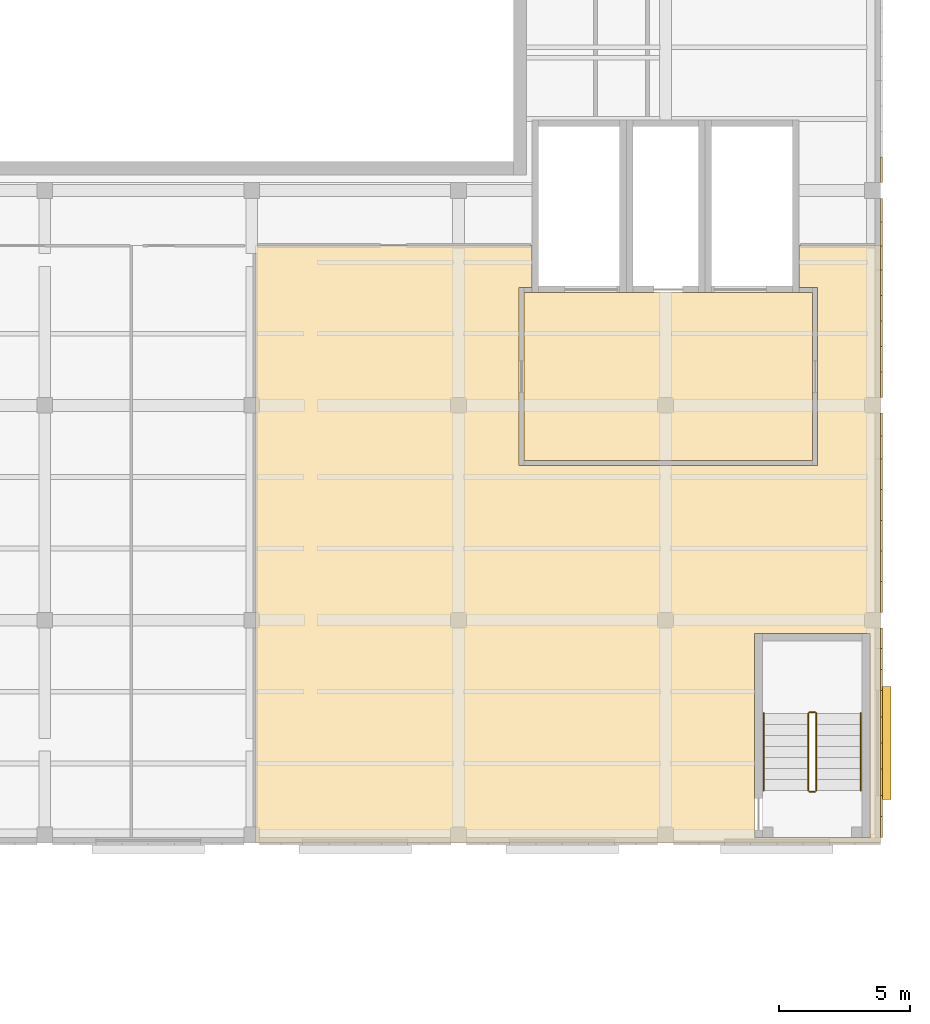
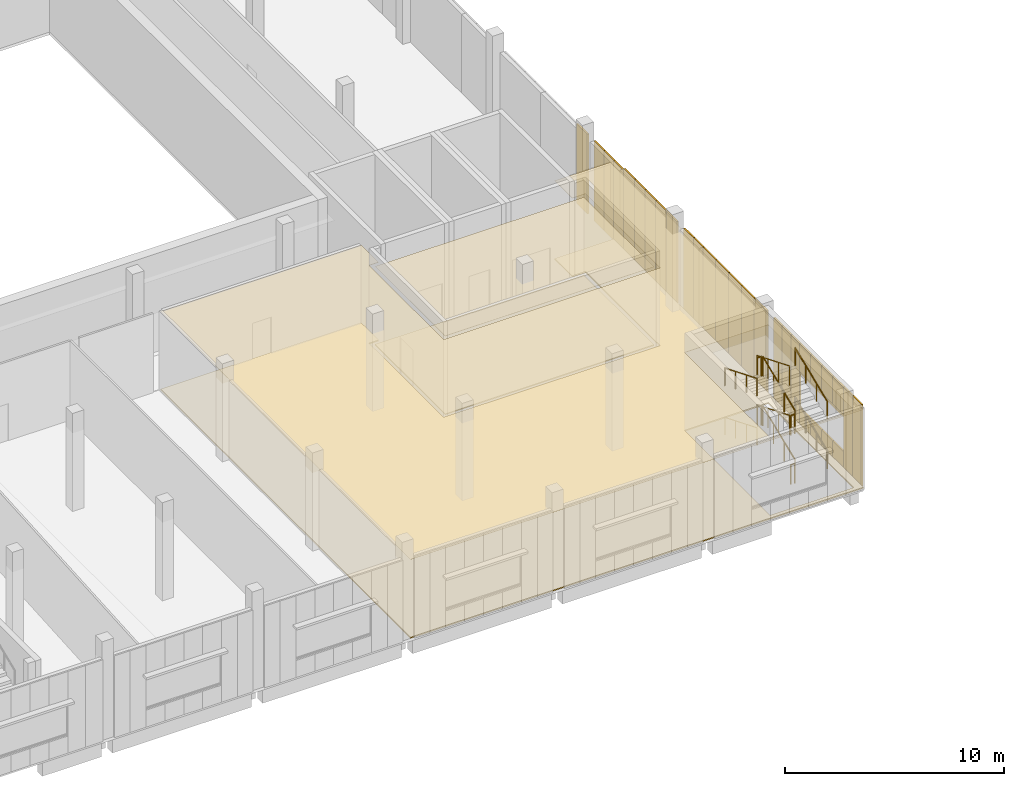
# One storey, part 84 of 87: 33 coverings, 12 railings, 1 shading device.
"""IFC4 building model written with IfcOpenShell, lengths in metres."""

from ifc_helpers import new_model, si_unit, direction, frame, origin, origin_2d, place, context, subcontext, project, spatial, polyline, rectangle, circle, outline, extrude, material, layer, layer_set, type_object, element, save


model = new_model("IFC4")

# Units and contexts
model_context = context("Model", 3, precision=1e-05, world=origin(), true_north=direction((0.0, 1.0)))
body_context = subcontext(model_context, "Body", "Model", "MODEL_VIEW")
ifc_project = project(units=[si_unit("LENGTHUNIT", "METRE"), si_unit("AREAUNIT", "SQUARE_METRE"), si_unit("VOLUMEUNIT", "CUBIC_METRE"), si_unit("PLANEANGLEUNIT", "RADIAN"), si_unit("MASSUNIT", "GRAM", prefix="KILO")], contexts=[model_context])

# Site, building, storey
site_placement = place(None, origin())
site = spatial("IfcSite", under=ifc_project, at=site_placement, CompositionType="ELEMENT")
building_placement = place(site_placement, origin())
building = spatial("IfcBuilding", under=site, at=building_placement, Name="Lunette Opera House", CompositionType="ELEMENT")
storey_placement = place(building_placement, frame((0.0, 0.0, 11.5)))
storey = spatial("IfcBuildingStorey", under=building, at=storey_placement, Name="L02", CompositionType="ELEMENT", Elevation=11.5)

# Coverings
ifc_material_1 = material(Name="Dark grey aluminium cassette", Category="aluminium")
ifc_layer_1 = layer(ifc_material_1, 0.080078125)
ifc_layer_set_1 = layer_set([ifc_layer_1], Name="Dark grey aluminium cassette")
covering_type_1 = type_object("IfcCoveringType", Name="DARK METAL CASSETTE 80", PredefinedType="CLADDING", material=ifc_layer_set_1)
for number, where, z_axis, x_axis, name in (
    (1, (184.0400390625, 78.60302734375, 0.0), (0.0, 0.0, 1.0), (0.0, 1.0, 0.0), "Dark Metal Cassette 80 WK L02"),
    (2, (184.0400390625, 79.408935546875, 0.0), (0.0, 0.0, 1.0), (0.0, 1.0, 0.0), "Dark Metal Cassette 80 WK L02"),
):
    element("IfcCovering", number, at=place(storey_placement, frame(where, z_axis=z_axis, x_axis=x_axis)), inside=storey, type_object=covering_type_1, Name=name, PredefinedType="CLADDING", context=body_context, shape_type="SweptSolid", body=[
        extrude(rectangle(XDim=0.805908203125, YDim=0.080078125, at=origin_2d()), origin(), (0.0, 0.0, 1.0), 4.550048828125),
    ])
covering_1_placement = place(storey_placement, frame((184.0400390625, 80.31201171875, 0.0), z_axis=(0.0, 0.0, 1.0), x_axis=(0.0, 1.0, 0.0)))
element("IfcCovering", 3, at=covering_1_placement, inside=storey, type_object=covering_type_1, Name="Dark Metal Cassette 80 WK L02", PredefinedType="CLADDING", context=body_context, shape_type="SweptSolid", body=[
    extrude(rectangle(XDim=1.0, YDim=0.080078125, at=origin_2d()), origin(), (0.0, 0.0, 1.0), 0.949951171875),
])
covering_2_placement = place(storey_placement, frame((184.0400390625, 80.31201171875, 3.0), z_axis=(0.0, 0.0, 1.0), x_axis=(0.0, 1.0, 0.0)))
element("IfcCovering", 4, at=covering_2_placement, inside=storey, type_object=covering_type_1, Name="Dark Metal Cassette 80 WK L02", PredefinedType="CLADDING", context=body_context, shape_type="SweptSolid", body=[
    extrude(rectangle(XDim=1.0, YDim=0.080078125, at=origin_2d()), origin(), (0.0, 0.0, 1.0), 1.550048828125),
])
covering_3_placement = place(storey_placement, frame((184.0400390625, 81.31201171875, 0.0), z_axis=(0.0, 0.0, 1.0), x_axis=(0.0, 1.0, 0.0)))
element("IfcCovering", 5, at=covering_3_placement, inside=storey, type_object=covering_type_1, Name="Dark Metal Cassette 80 WK L02", PredefinedType="CLADDING", context=body_context, shape_type="SweptSolid", body=[
    extrude(rectangle(XDim=1.0, YDim=0.080078125, at=origin_2d()), origin(), (0.0, 0.0, 1.0), 0.949951171875),
])
covering_4_placement = place(storey_placement, frame((184.0400390625, 81.31201171875, 3.0), z_axis=(0.0, 0.0, 1.0), x_axis=(0.0, 1.0, 0.0)))
element("IfcCovering", 6, at=covering_4_placement, inside=storey, type_object=covering_type_1, Name="Dark Metal Cassette 80 WK L02", PredefinedType="CLADDING", context=body_context, shape_type="SweptSolid", body=[
    extrude(rectangle(XDim=1.0, YDim=0.080078125, at=origin_2d()), origin(), (0.0, 0.0, 1.0), 1.550048828125),
])
covering_5_placement = place(storey_placement, frame((184.0400390625, 82.31201171875, 0.0), z_axis=(0.0, 0.0, 1.0), x_axis=(0.0, 1.0, 0.0)))
element("IfcCovering", 7, at=covering_5_placement, inside=storey, type_object=covering_type_1, Name="Dark Metal Cassette 80 WK L02", PredefinedType="CLADDING", context=body_context, shape_type="SweptSolid", body=[
    extrude(rectangle(XDim=1.0, YDim=0.080078125, at=origin_2d()), origin(), (0.0, 0.0, 1.0), 0.949951171875),
])
covering_6_placement = place(storey_placement, frame((184.0400390625, 82.31201171875, 3.0), z_axis=(0.0, 0.0, 1.0), x_axis=(0.0, 1.0, 0.0)))
element("IfcCovering", 8, at=covering_6_placement, inside=storey, type_object=covering_type_1, Name="Dark Metal Cassette 80 WK L02", PredefinedType="CLADDING", context=body_context, shape_type="SweptSolid", body=[
    extrude(rectangle(XDim=1.0, YDim=0.080078125, at=origin_2d()), origin(), (0.0, 0.0, 1.0), 1.550048828125),
])
covering_7_placement = place(storey_placement, frame((184.0400390625, 83.31201171875, 0.0), z_axis=(0.0, 0.0, 1.0), x_axis=(0.0, 1.0, 0.0)))
element("IfcCovering", 9, at=covering_7_placement, inside=storey, type_object=covering_type_1, Name="Dark Metal Cassette 80 WK L02", PredefinedType="CLADDING", context=body_context, shape_type="SweptSolid", body=[
    extrude(rectangle(XDim=1.0, YDim=0.080078125, at=origin_2d()), origin(), (0.0, 0.0, 1.0), 0.949951171875),
])
covering_8_placement = place(storey_placement, frame((184.0400390625, 83.31201171875, 3.0), z_axis=(0.0, 0.0, 1.0), x_axis=(0.0, 1.0, 0.0)))
element("IfcCovering", 10, at=covering_8_placement, inside=storey, type_object=covering_type_1, Name="Dark Metal Cassette 80 WK L02", PredefinedType="CLADDING", context=body_context, shape_type="SweptSolid", body=[
    extrude(rectangle(XDim=1.0, YDim=0.080078125, at=origin_2d()), origin(), (0.0, 0.0, 1.0), 1.550048828125),
])
for number, where, z_axis, x_axis, name in (
    (11, (184.0400390625, 84.215087890625, 0.0), (0.0, 0.0, 1.0), (0.0, 1.0, 0.0), "Dark Metal Cassette 80 WK L02"),
    (12, (184.0400390625, 85.02197265625, 0.0), (0.0, 0.0, 1.0), (0.0, 1.0, 0.0), "Dark Metal Cassette 80 WK L02"),
):
    element("IfcCovering", number, at=place(storey_placement, frame(where, z_axis=z_axis, x_axis=x_axis)), inside=storey, type_object=covering_type_1, Name=name, PredefinedType="CLADDING", context=body_context, shape_type="SweptSolid", body=[
        extrude(rectangle(XDim=0.805908203125, YDim=0.080078125, at=origin_2d()), origin(), (0.0, 0.0, 1.0), 4.550048828125),
    ])
covering_9_placement = place(storey_placement, frame((184.0400390625, 85.81201171875, 0.0), z_axis=(0.0, 0.0, 1.0), x_axis=(0.0, 1.0, 0.0)))
element("IfcCovering", 13, at=covering_9_placement, inside=storey, type_object=covering_type_1, Name="Dark Metal Cassette 80 WK L02", PredefinedType="CLADDING", context=body_context, shape_type="SweptSolid", body=[
    extrude(rectangle(XDim=0.77490234375, YDim=0.080078125, at=origin_2d()), origin(), (0.0, 0.0, 1.0), 4.550048828125),
])
for number, where, z_axis, x_axis, name in (
    (14, (184.0400390625, 87.385009765625, 0.0), (0.0, 0.0, 1.0), (0.0, 1.0, 0.0), "Dark Metal Cassette 80 WK L02"),
    (15, (184.0400390625, 88.554931640625, 0.0), (0.0, 0.0, 1.0), (0.0, 1.0, 0.0), "Dark Metal Cassette 80 WK L02"),
    (16, (184.0400390625, 89.72509765625, 0.0), (0.0, 0.0, 1.0), (0.0, 1.0, 0.0), "Dark Metal Cassette 80 WK L02"),
    (17, (184.0400390625, 90.89501953125, 0.0), (0.0, 0.0, 1.0), (0.0, 1.0, 0.0), "Dark Metal Cassette 80 WK L02"),
    (18, (184.0400390625, 92.06494140625, 0.0), (0.0, 0.0, 1.0), (0.0, 1.0, 0.0), "Dark Metal Cassette 80 WK L02"),
):
    element("IfcCovering", number, at=place(storey_placement, frame(where, z_axis=z_axis, x_axis=x_axis)), inside=storey, type_object=covering_type_1, Name=name, PredefinedType="CLADDING", context=body_context, shape_type="SweptSolid", body=[
        extrude(rectangle(XDim=1.169921875, YDim=0.080078125, at=origin_2d()), origin(), (0.0, 0.0, 1.0), 4.550048828125),
    ])
for number, where, z_axis, x_axis, name in (
    (19, (184.0400390625, 93.087890625, 0.0), (0.0, 0.0, 1.0), (0.0, 1.0, 0.0), "Dark Metal Cassette 80 WK L02"),
    (20, (184.0400390625, 93.962890625, 0.0), (0.0, 0.0, 1.0), (0.0, 1.0, 0.0), "Dark Metal Cassette 80 WK L02"),
):
    element("IfcCovering", number, at=place(storey_placement, frame(where, z_axis=z_axis, x_axis=x_axis)), inside=storey, type_object=covering_type_1, Name=name, PredefinedType="CLADDING", context=body_context, shape_type="SweptSolid", body=[
        extrude(rectangle(XDim=0.875, YDim=0.080078125, at=origin_2d()), origin(), (0.0, 0.0, 1.0), 4.550048828125),
    ])
for number, where, z_axis, x_axis, name in (
    (21, (184.0400390625, 95.487060546875, 0.0), (0.0, 0.0, 1.0), (0.0, 1.0, 0.0), "Dark Metal Cassette 80 WK L02"),
    (22, (184.0400390625, 96.462890625, 0.0), (0.0, 0.0, 1.0), (0.0, 1.0, 0.0), "Dark Metal Cassette 80 WK L02"),
    (23, (184.0400390625, 97.43798828125, 0.0), (0.0, 0.0, 1.0), (0.0, 1.0, 0.0), "Dark Metal Cassette 80 WK L02"),
    (24, (184.0400390625, 98.412109375, 0.0), (0.0, 0.0, 1.0), (0.0, 1.0, 0.0), "Dark Metal Cassette 80 WK L02"),
    (25, (184.0400390625, 99.387939453125, 0.0), (0.0, 0.0, 1.0), (0.0, 1.0, 0.0), "Dark Metal Cassette 80 WK L02"),
):
    element("IfcCovering", number, at=place(storey_placement, frame(where, z_axis=z_axis, x_axis=x_axis)), inside=storey, type_object=covering_type_1, Name=name, PredefinedType="CLADDING", context=body_context, shape_type="SweptSolid", body=[
        extrude(rectangle(XDim=0.97509765625, YDim=0.080078125, at=origin_2d()), origin(), (0.0, 0.0, 1.0), 4.550048828125),
    ])
for number, where, z_axis, x_axis, name in (
    (26, (184.0400390625, 100.3291015625, 0.0), (0.0, 0.0, 1.0), (0.0, 1.0, 0.0), "Dark Metal Cassette 80 WK L02"),
    (27, (184.0400390625, 101.237060546875, 0.0), (0.0, 0.0, 1.0), (0.0, 1.0, 0.0), "Dark Metal Cassette 80 WK L02"),
    (28, (184.0400390625, 102.14599609375, 0.0), (0.0, 0.0, 1.0), (0.0, 1.0, 0.0), "Dark Metal Cassette 80 WK L02"),
):
    element("IfcCovering", number, at=place(storey_placement, frame(where, z_axis=z_axis, x_axis=x_axis)), inside=storey, type_object=covering_type_1, Name=name, PredefinedType="CLADDING", context=body_context, shape_type="SweptSolid", body=[
        extrude(rectangle(XDim=0.907958984375, YDim=0.080078125, at=origin_2d()), origin(), (0.0, 0.0, 1.0), 4.449951171875),
    ])
covering_10_placement = place(storey_placement, frame((184.0400390625, 103.68798828125, 0.0), z_axis=(0.0, 0.0, 1.0), x_axis=(0.0, 1.0, 0.0)))
element("IfcCovering", 29, at=covering_10_placement, inside=storey, type_object=covering_type_1, Name="Dark Metal Cassette 80 WK L02", PredefinedType="CLADDING", context=body_context, shape_type="SweptSolid", body=[
    extrude(rectangle(XDim=0.97509765625, YDim=0.080078125, at=origin_2d()), origin(), (0.0, 0.0, 1.0), 4.449951171875),
])
ifc_material_2 = material(Name="Cement screed")
ifc_layer_2 = layer(ifc_material_2, 0.070068359375)
ifc_layer_set_2 = layer_set([ifc_layer_2], Name="Cement screed")
covering_type_2 = type_object("IfcCoveringType", Name="SCREED FLOOR FINISH 70", PredefinedType="FLOORING", material=ifc_layer_set_2)
covering_11_placement = place(storey_placement, origin())
element("IfcCovering", 30, at=covering_11_placement, inside=storey, type_object=covering_type_2, Name="Floor finish Prop Store", PredefinedType="FLOORING", context=body_context, shape_type="SweptSolid", body=[
    extrude(outline(polyline([(170.199951171875, 99.199951171875), (170.199951171875, 92.39990234375), (181.60009765625, 92.39990234375), (181.60009765625, 99.199951171875), (180.89990234375, 99.199951171875), (180.89990234375, 100.800048828125), (184.0, 100.800048828125), (184.0, 78.0), (160.137939453125, 78.0), (160.137939453125, 100.800048828125), (170.699951171875, 100.800048828125), (170.699951171875, 99.199951171875), (170.199951171875, 99.199951171875)]), holes=[polyline([(183.60009765625, 78.199951171875), (183.60009765625, 86.0), (179.199951171875, 86.0), (179.199951171875, 78.199951171875), (183.60009765625, 78.199951171875)])]), origin(), (0.0, 0.0, 1.0), 0.070068359375),
])

# Railings
ifc_material_3 = material(Name="Steel S355", Category="steel")
railing_type_1 = type_object("IfcRailingType", Name="STAIR GUARD 1100", PredefinedType="GUARDRAIL", material=ifc_material_3)
railing_1_placement = place(storey_placement, frame((181.550048828125, 80.0, 0.171875)))
element("IfcRailing", 31, at=railing_1_placement, inside=storey, type_object=railing_type_1, Name="L02 ST20 stair guard 1", PredefinedType="GUARDRAIL", context=body_context, shape_type="SweptSolid", body=[
    extrude(circle(Radius=0.02392578125, at=origin_2d()), frame((0.0, 0.0, 1.076171875), z_axis=(0.0, 0.925500427511, 0.378746562595), x_axis=(-1.0, 0.0, 0.0)), (0.0, 0.0, 1.0), 3.176513671875),
    extrude(circle(Radius=0.02099609375, at=origin_2d()), origin(), (0.0, 0.0, 1.0), 1.052001953125),
    extrude(circle(Radius=0.02099609375, at=origin_2d()), frame((0.0, 0.97998046875, 0.401123046875)), (0.0, 0.0, 1.0), 1.052001953125),
    extrude(circle(Radius=0.02099609375, at=origin_2d()), frame((0.0, 1.9599609375, 0.802001953125)), (0.0, 0.0, 1.0), 1.052001953125),
    extrude(circle(Radius=0.02099609375, at=origin_2d()), frame((0.0, 2.93994140625, 1.203125)), (0.0, 0.0, 1.0), 1.052001953125),
])
railing_2_placement = place(storey_placement, frame((181.5, 82.989990234375, 1.375)))
element("IfcRailing", 32, at=railing_2_placement, inside=storey, type_object=railing_type_1, Name="L02 ST20 stair guard 2", PredefinedType="GUARDRAIL", context=body_context, shape_type="SweptSolid", body=[
    extrude(circle(Radius=0.02392578125, at=origin_2d()), frame((0.0, 0.0, 1.076171875), z_axis=(-1.0, 0.0, 0.0), x_axis=(0.0, -1.0, 0.0)), (0.0, 0.0, 1.0), 0.199951171875),
    extrude(circle(Radius=0.02099609375, at=origin_2d()), origin(), (0.0, 0.0, 1.0), 1.052001953125),
    extrude(circle(Radius=0.02099609375, at=origin_2d()), frame((-0.199951171875, 0.0, 0.0)), (0.0, 0.0, 1.0), 1.052001953125),
])
railing_3_placement = place(storey_placement, frame((181.25, 82.93994140625, 1.546875)))
element("IfcRailing", 33, at=railing_3_placement, inside=storey, type_object=railing_type_1, Name="L02 ST20 stair guard 3", PredefinedType="GUARDRAIL", context=body_context, shape_type="SweptSolid", body=[
    extrude(circle(Radius=0.02392578125, at=origin_2d()), frame((0.0, 0.0, 1.076171875), z_axis=(0.0, -0.925500427511, 0.378746562595), x_axis=(1.0, 0.0, 0.0)), (0.0, 0.0, 1.0), 3.176513671875),
    extrude(circle(Radius=0.02099609375, at=origin_2d()), origin(), (0.0, 0.0, 1.0), 1.052001953125),
    extrude(circle(Radius=0.02099609375, at=origin_2d()), frame((0.0, -0.97998046875, 0.401123046875)), (0.0, 0.0, 1.0), 1.052001953125),
    extrude(circle(Radius=0.02099609375, at=origin_2d()), frame((0.0, -1.9599609375, 0.802001953125)), (0.0, 0.0, 1.0), 1.052001953125),
    extrude(circle(Radius=0.02099609375, at=origin_2d()), frame((0.0, -2.93994140625, 1.203125)), (0.0, 0.0, 1.0), 1.052001953125),
])
railing_4_placement = place(storey_placement, frame((181.5, 79.949951171875, 2.75)))
element("IfcRailing", 34, at=railing_4_placement, inside=storey, type_object=railing_type_1, Name="L02 ST20 stair guard 4", PredefinedType="GUARDRAIL", context=body_context, shape_type="SweptSolid", body=[
    extrude(circle(Radius=0.02392578125, at=origin_2d()), frame((0.0, 0.0, 1.076171875), z_axis=(-1.0, 0.0, 0.0), x_axis=(0.0, -1.0, 0.0)), (0.0, 0.0, 1.0), 0.199951171875),
    extrude(circle(Radius=0.02099609375, at=origin_2d()), origin(), (0.0, 0.0, 1.0), 1.052001953125),
    extrude(circle(Radius=0.02099609375, at=origin_2d()), frame((-0.199951171875, 0.0, 0.0)), (0.0, 0.0, 1.0), 1.052001953125),
])
railing_5_placement = place(storey_placement, frame((181.550048828125, 80.0, 2.921875)))
element("IfcRailing", 35, at=railing_5_placement, inside=storey, type_object=railing_type_1, Name="L02 ST20 stair guard 5", PredefinedType="GUARDRAIL", context=body_context, shape_type="SweptSolid", body=[
    extrude(circle(Radius=0.02392578125, at=origin_2d()), frame((0.0, 0.0, 1.076171875), z_axis=(0.0, 0.925500427511, 0.378746562595), x_axis=(-1.0, 0.0, 0.0)), (0.0, 0.0, 1.0), 3.176513671875),
    extrude(circle(Radius=0.02099609375, at=origin_2d()), origin(), (0.0, 0.0, 1.0), 1.052001953125),
    extrude(circle(Radius=0.02099609375, at=origin_2d()), frame((0.0, 0.97998046875, 0.401123046875)), (0.0, 0.0, 1.0), 1.052001953125),
    extrude(circle(Radius=0.02099609375, at=origin_2d()), frame((0.0, 1.9599609375, 0.802001953125)), (0.0, 0.0, 1.0), 1.052001953125),
    extrude(circle(Radius=0.02099609375, at=origin_2d()), frame((0.0, 2.93994140625, 1.203125)), (0.0, 0.0, 1.0), 1.052001953125),
])
railing_6_placement = place(storey_placement, frame((181.5, 82.989990234375, 4.125)))
element("IfcRailing", 36, at=railing_6_placement, inside=storey, type_object=railing_type_1, Name="L02 ST20 stair guard 6", PredefinedType="GUARDRAIL", context=body_context, shape_type="SweptSolid", body=[
    extrude(circle(Radius=0.02392578125, at=origin_2d()), frame((0.0, 0.0, 1.076171875), z_axis=(-1.0, 0.0, 0.0), x_axis=(0.0, -1.0, 0.0)), (0.0, 0.0, 1.0), 0.199951171875),
    extrude(circle(Radius=0.02099609375, at=origin_2d()), origin(), (0.0, 0.0, 1.0), 1.052001953125),
    extrude(circle(Radius=0.02099609375, at=origin_2d()), frame((-0.199951171875, 0.0, 0.0)), (0.0, 0.0, 1.0), 1.052001953125),
])
railing_7_placement = place(storey_placement, frame((181.25, 82.93994140625, 4.296875)))
element("IfcRailing", 37, at=railing_7_placement, inside=storey, type_object=railing_type_1, Name="L02 ST20 stair guard 7", PredefinedType="GUARDRAIL", context=body_context, shape_type="SweptSolid", body=[
    extrude(circle(Radius=0.02392578125, at=origin_2d()), frame((0.0, 0.0, 1.076171875), z_axis=(0.0, -0.925500427511, 0.378746562595), x_axis=(1.0, 0.0, 0.0)), (0.0, 0.0, 1.0), 3.176513671875),
    extrude(circle(Radius=0.02099609375, at=origin_2d()), origin(), (0.0, 0.0, 1.0), 1.052001953125),
    extrude(circle(Radius=0.02099609375, at=origin_2d()), frame((0.0, -0.97998046875, 0.401123046875)), (0.0, 0.0, 1.0), 1.052001953125),
    extrude(circle(Radius=0.02099609375, at=origin_2d()), frame((0.0, -1.9599609375, 0.802001953125)), (0.0, 0.0, 1.0), 1.052001953125),
    extrude(circle(Radius=0.02099609375, at=origin_2d()), frame((0.0, -2.93994140625, 1.203125)), (0.0, 0.0, 1.0), 1.052001953125),
])
railing_8_placement = place(storey_placement, frame((181.5, 79.949951171875, 0.0)))
element("IfcRailing", 38, at=railing_8_placement, inside=storey, type_object=railing_type_1, Name="L02 ST20 stair guard 8", PredefinedType="GUARDRAIL", context=body_context, shape_type="SweptSolid", body=[
    extrude(circle(Radius=0.02392578125, at=origin_2d()), frame((0.0, 0.0, 1.076171875), z_axis=(-1.0, 0.0, 0.0), x_axis=(0.0, -1.0, 0.0)), (0.0, 0.0, 1.0), 0.199951171875),
    extrude(circle(Radius=0.02099609375, at=origin_2d()), origin(), (0.0, 0.0, 1.0), 1.052001953125),
    extrude(circle(Radius=0.02099609375, at=origin_2d()), frame((-0.199951171875, 0.0, 0.0)), (0.0, 0.0, 1.0), 1.052001953125),
])
ifc_material_4 = material(Name="Steel S355", Category="steel")
railing_type_2 = type_object("IfcRailingType", Name="STAIR HANDRAIL 1000", PredefinedType="HANDRAIL", material=ifc_material_4)
railing_9_placement = place(storey_placement, frame((183.25, 80.0, 0.171875)))
element("IfcRailing", 39, at=railing_9_placement, inside=storey, type_object=railing_type_2, Name="L02 ST20 stair handrail 1", PredefinedType="HANDRAIL", context=body_context, shape_type="SweptSolid", body=[
    extrude(circle(Radius=0.02392578125, at=origin_2d()), frame((0.0, 0.0, 0.97607421875), z_axis=(0.0, 0.925500427511, 0.378746562595), x_axis=(-1.0, 0.0, 0.0)), (0.0, 0.0, 1.0), 3.176513671875),
    extrude(circle(Radius=0.02099609375, at=origin_2d()), origin(), (0.0, 0.0, 1.0), 0.951904296875),
    extrude(circle(Radius=0.02099609375, at=origin_2d()), frame((0.0, 0.97998046875, 0.401123046875)), (0.0, 0.0, 1.0), 0.951904296875),
    extrude(circle(Radius=0.02099609375, at=origin_2d()), frame((0.0, 1.9599609375, 0.802001953125)), (0.0, 0.0, 1.0), 0.951904296875),
    extrude(circle(Radius=0.02099609375, at=origin_2d()), frame((0.0, 2.93994140625, 1.203125)), (0.0, 0.0, 1.0), 0.951904296875),
])
railing_10_placement = place(storey_placement, frame((179.550048828125, 82.93994140625, 1.546875)))
element("IfcRailing", 40, at=railing_10_placement, inside=storey, type_object=railing_type_2, Name="L02 ST20 stair handrail 2", PredefinedType="HANDRAIL", context=body_context, shape_type="SweptSolid", body=[
    extrude(circle(Radius=0.02392578125, at=origin_2d()), frame((0.0, 0.0, 0.97607421875), z_axis=(0.0, -0.925500427511, 0.378746562595), x_axis=(1.0, 0.0, 0.0)), (0.0, 0.0, 1.0), 3.176513671875),
    extrude(circle(Radius=0.02099609375, at=origin_2d()), origin(), (0.0, 0.0, 1.0), 0.951904296875),
    extrude(circle(Radius=0.02099609375, at=origin_2d()), frame((0.0, -0.97998046875, 0.401123046875)), (0.0, 0.0, 1.0), 0.951904296875),
    extrude(circle(Radius=0.02099609375, at=origin_2d()), frame((0.0, -1.9599609375, 0.802001953125)), (0.0, 0.0, 1.0), 0.951904296875),
    extrude(circle(Radius=0.02099609375, at=origin_2d()), frame((0.0, -2.93994140625, 1.203125)), (0.0, 0.0, 1.0), 0.951904296875),
])
railing_11_placement = place(storey_placement, frame((183.25, 80.0, 2.921875)))
element("IfcRailing", 41, at=railing_11_placement, inside=storey, type_object=railing_type_2, Name="L02 ST20 stair handrail 3", PredefinedType="HANDRAIL", context=body_context, shape_type="SweptSolid", body=[
    extrude(circle(Radius=0.02392578125, at=origin_2d()), frame((0.0, 0.0, 0.97607421875), z_axis=(0.0, 0.925500427511, 0.378746562595), x_axis=(-1.0, 0.0, 0.0)), (0.0, 0.0, 1.0), 3.176513671875),
    extrude(circle(Radius=0.02099609375, at=origin_2d()), origin(), (0.0, 0.0, 1.0), 0.951904296875),
    extrude(circle(Radius=0.02099609375, at=origin_2d()), frame((0.0, 0.97998046875, 0.401123046875)), (0.0, 0.0, 1.0), 0.951904296875),
    extrude(circle(Radius=0.02099609375, at=origin_2d()), frame((0.0, 1.9599609375, 0.802001953125)), (0.0, 0.0, 1.0), 0.951904296875),
    extrude(circle(Radius=0.02099609375, at=origin_2d()), frame((0.0, 2.93994140625, 1.203125)), (0.0, 0.0, 1.0), 0.951904296875),
])
railing_12_placement = place(storey_placement, frame((179.550048828125, 82.93994140625, 4.296875)))
element("IfcRailing", 42, at=railing_12_placement, inside=storey, type_object=railing_type_2, Name="L02 ST20 stair handrail 4", PredefinedType="HANDRAIL", context=body_context, shape_type="SweptSolid", body=[
    extrude(circle(Radius=0.02392578125, at=origin_2d()), frame((0.0, 0.0, 0.97607421875), z_axis=(0.0, -0.925500427511, 0.378746562595), x_axis=(1.0, 0.0, 0.0)), (0.0, 0.0, 1.0), 3.176513671875),
    extrude(circle(Radius=0.02099609375, at=origin_2d()), origin(), (0.0, 0.0, 1.0), 0.951904296875),
    extrude(circle(Radius=0.02099609375, at=origin_2d()), frame((0.0, -0.97998046875, 0.401123046875)), (0.0, 0.0, 1.0), 0.951904296875),
    extrude(circle(Radius=0.02099609375, at=origin_2d()), frame((0.0, -1.9599609375, 0.802001953125)), (0.0, 0.0, 1.0), 0.951904296875),
    extrude(circle(Radius=0.02099609375, at=origin_2d()), frame((0.0, -2.93994140625, 1.203125)), (0.0, 0.0, 1.0), 0.951904296875),
])

# Coverings
ifc_material_5 = material(Name="Mineral fibre board")
ifc_layer_3 = layer(ifc_material_5, 0.014892578125)
ifc_layer_set_3 = layer_set([ifc_layer_3], Name="Mineral fibre board")
covering_type_3 = type_object("IfcCoveringType", Name="SUSPENDED ACOUSTIC CEILING 15", PredefinedType="CEILING", material=ifc_layer_set_3)
covering_12_placement = place(storey_placement, frame((0.0, 0.0, 4.385009765625)))
element("IfcCovering", 43, at=covering_12_placement, inside=storey, type_object=covering_type_3, Name="Ceiling Lift Lobby L02 Goods", PredefinedType="CEILING", context=body_context, shape_type="SweptSolid", body=[
    extrude(outline(polyline([(181.39990234375, 92.60009765625), (181.39990234375, 99.0), (170.39990234375, 99.0), (170.39990234375, 92.60009765625), (181.39990234375, 92.60009765625)])), origin(), (0.0, 0.0, 1.0), 0.014892578125),
])
covering_13_placement = place(storey_placement, frame((0.0, 0.0, 4.385009765625)))
element("IfcCovering", 44, at=covering_13_placement, inside=storey, type_object=covering_type_3, Name="Ceiling Prop Store", PredefinedType="CEILING", context=body_context, shape_type="SweptSolid", body=[
    extrude(outline(polyline([(170.199951171875, 99.199951171875), (170.199951171875, 92.39990234375), (181.60009765625, 92.39990234375), (181.60009765625, 99.199951171875), (180.89990234375, 99.199951171875), (180.89990234375, 100.800048828125), (184.0, 100.800048828125), (184.0, 78.0), (160.137939453125, 78.0), (160.137939453125, 100.800048828125), (170.699951171875, 100.800048828125), (170.699951171875, 99.199951171875), (170.199951171875, 99.199951171875)]), holes=[polyline([(183.60009765625, 78.199951171875), (183.60009765625, 86.0), (179.199951171875, 86.0), (179.199951171875, 78.199951171875), (183.60009765625, 78.199951171875)])]), origin(), (0.0, 0.0, 1.0), 0.014892578125),
])
ifc_material_6 = material(Name="Terrazzo")
ifc_layer_4 = layer(ifc_material_6, 0.06005859375)
ifc_layer_set_4 = layer_set([ifc_layer_4], Name="Terrazzo")
covering_type_4 = type_object("IfcCoveringType", Name="TERRAZZO FLOOR FINISH 60", PredefinedType="FLOORING", material=ifc_layer_set_4)
covering_14_placement = place(storey_placement, origin())
element("IfcCovering", 45, at=covering_14_placement, inside=storey, type_object=covering_type_4, Name="Floor finish Lift Lobby L02 Goods", PredefinedType="FLOORING", context=body_context, shape_type="SweptSolid", body=[
    extrude(outline(polyline([(181.39990234375, 92.60009765625), (181.39990234375, 99.0), (170.39990234375, 99.0), (170.39990234375, 92.60009765625), (181.39990234375, 92.60009765625)])), origin(), (0.0, 0.0, 1.0), 0.06005859375),
])

# Shading device
ifc_material_7 = material(Name="Powder-coated aluminium", Category="aluminium")
ifc_layer_5 = layer(ifc_material_7, 0.1201171875)
ifc_layer_set_5 = layer_set([ifc_layer_5], Name="Powder-coated aluminium")
shading_device_type = type_object("IfcShadingDeviceType", Name="WINDOW HOOD 400 X 4300", PredefinedType="USERDEFINED", material=ifc_layer_set_5)
shading_device_placement = place(storey_placement, frame((184.199951171875, 81.81201171875, 2.8798828125), z_axis=(0.0, 0.0, 1.0), x_axis=(1.0, 0.0, 0.0)))
element("IfcShadingDevice", 46, at=shading_device_placement, inside=storey, type_object=shading_device_type, Name="Window hood WW-N2017", ObjectType="WINDOW HOOD", PredefinedType="USERDEFINED", context=body_context, shape_type="SweptSolid", body=[
    extrude(rectangle(XDim=0.39990234375, YDim=4.300048828125, at=origin_2d()), origin(), (0.0, 0.0, 1.0), 0.1201171875),
])

save(model, "model.ifc")
